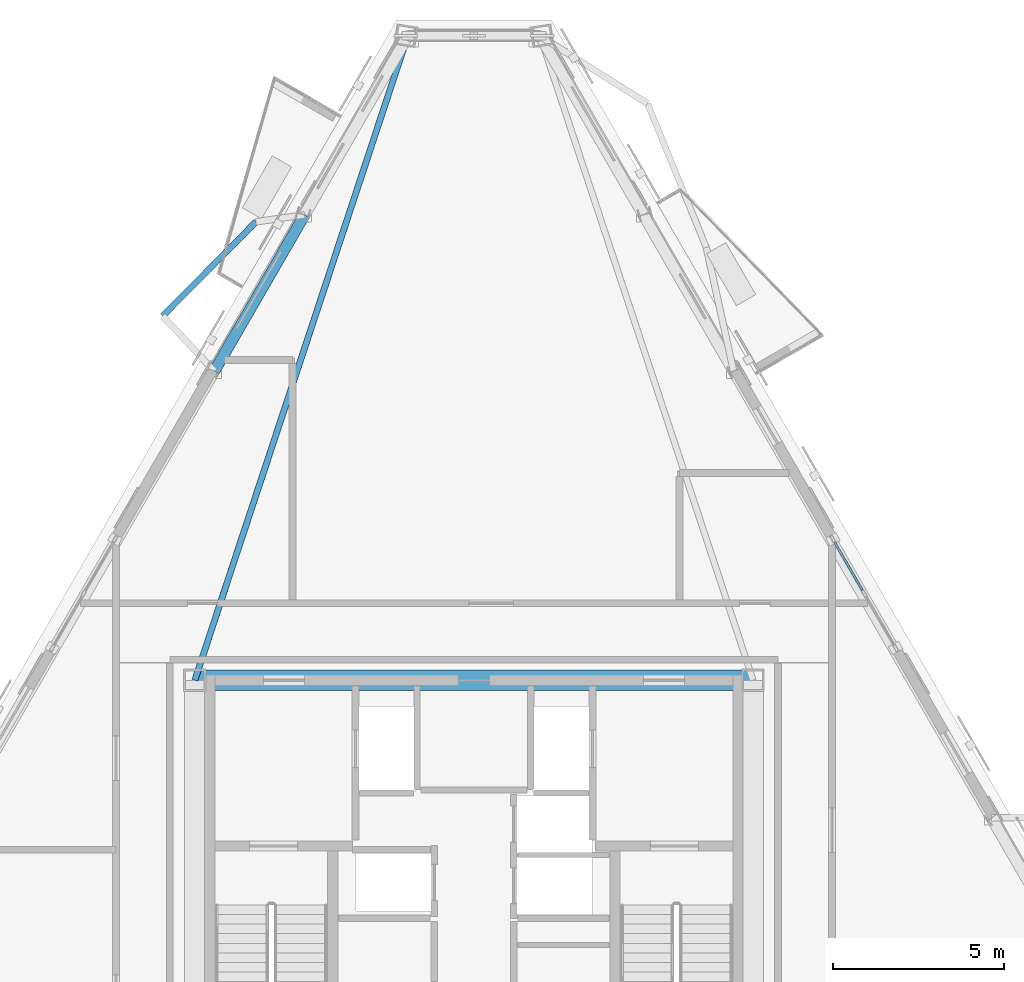
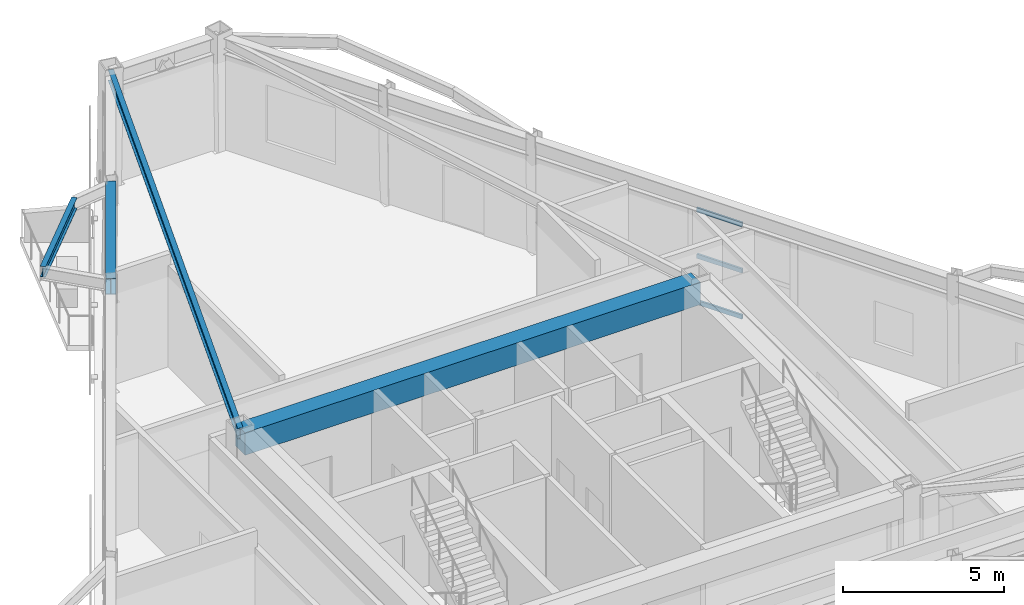
# One storey, part 5 of 16: 4 beams, 3 members, 1 element without a shape of its own.
"""IFC4 building model written with IfcOpenShell, lengths in metres."""

from ifc_helpers import new_model, si_unit, direction, frame, origin, origin_2d, place, context, subcontext, project, spatial, rectangle, hollow_rectangle, i_section, extrude, material, layer, layer_set, material_profile, profile_set, type_object, element, aggregate, save


model = new_model("IFC4")

# Units and contexts
model_context = context("Model", 3, precision=1e-05, world=origin(), true_north=direction((0.0, 1.0)))
body_context = subcontext(model_context, "Body", "Model", "MODEL_VIEW")
ifc_project = project(units=[si_unit("LENGTHUNIT", "METRE"), si_unit("AREAUNIT", "SQUARE_METRE"), si_unit("VOLUMEUNIT", "CUBIC_METRE"), si_unit("PLANEANGLEUNIT", "RADIAN"), si_unit("MASSUNIT", "GRAM", prefix="KILO")], contexts=[model_context])

# Site, building, storey
site_placement = place(None, origin())
site = spatial("IfcSite", under=ifc_project, at=site_placement, CompositionType="ELEMENT")
building_placement = place(site_placement, origin())
building = spatial("IfcBuilding", under=site, at=building_placement, Name="Oramaril Tower", CompositionType="ELEMENT")
storey_placement = place(building_placement, frame((0.0, 0.0, 296.699951171875)))
storey = spatial("IfcBuildingStorey", under=building, at=storey_placement, Name="L78", CompositionType="ELEMENT", Elevation=296.699951171875)

# Beams
ifc_material_1 = material(Name="Concrete C50/60", Category="concrete")
ifc_material_profile_1 = material_profile(ifc_material_1, rectangle(XDim=0.60009765625, YDim=0.85009765625, at=origin_2d()), Name="CB600X850")
ifc_profile_set_1 = profile_set([ifc_material_profile_1], Name="Concrete C50/60")
beam_type_1 = type_object("IfcBeamType", Name="BT-CB2", PredefinedType="BEAM", material=ifc_profile_set_1)
beam_1_placement = place(storey_placement, frame((45.64990234375, 24.14990234375, 3.85498046875), z_axis=(-1.0, 0.0, 0.0), x_axis=(0.0, -1.0, 0.0)))
element("IfcBeam", 1, at=beam_1_placement, inside=storey, type_object=beam_type_1, Name="L78 Core Header Beam CB-3", PredefinedType="BEAM", context=body_context, shape_type="SweptSolid", body=[
    extrude(rectangle(XDim=0.60009765625, YDim=0.85009765625, at=origin_2d()), origin(), (0.0, 0.0, 1.0), 16.2998046875),
])
ifc_material_2 = material(Name="Steel ASTM A572 Gr 50", Category="steel")
ifc_material_profile_2 = material_profile(ifc_material_2, i_section(OverallWidth=0.177978515625, OverallDepth=0.404052734375, WebThickness=0.007568359375, FlangeThickness=0.010986328125, at=origin_2d()), Name="W16X36")
ifc_profile_set_2 = profile_set([ifc_material_profile_2], Name="Steel ASTM A572 Gr 50")
beam_type_2 = type_object("IfcBeamType", Name="BT-SB1", PredefinedType="BEAM", material=ifc_profile_set_2)
beam_2_placement = place(storey_placement, frame((29.35009765625, 24.14990234375, 4.078125), z_axis=(0.313878899078, 0.949463025459, 0.0), x_axis=(-0.949463025459, 0.313878899078, 0.0)))
element("IfcBeam", 2, at=beam_2_placement, inside=storey, type_object=beam_type_2, Name="L78 Radial Primary Beam RB-06", PredefinedType="BEAM", context=body_context, shape_type="SweptSolid", body=[
    extrude(i_section(OverallWidth=0.177978515625, OverallDepth=0.404052734375, WebThickness=0.007568359375, FlangeThickness=0.010986328125, at=origin_2d()), origin(), (0.0, 0.0, 1.0), 19.80859375),
])
beam_3_placement = place(storey_placement, frame((31.134521484375, 37.53515625, 4.078125), z_axis=(-0.702994511648, -0.71119527318, 0.0), x_axis=(0.71119527318, -0.702994511648, 0.0)))
element("IfcBeam", 3, at=beam_3_placement, inside=storey, type_object=beam_type_2, Name="L78 Balcony Edge Tie Beam 05", PredefinedType="BEAM", context=body_context, shape_type="SweptSolid", body=[
    extrude(i_section(OverallWidth=0.177978515625, OverallDepth=0.404052734375, WebThickness=0.007568359375, FlangeThickness=0.010986328125, at=origin_2d()), origin(), (0.0, 0.0, 1.0), 3.8701171875),
])
ifc_material_3 = material(Name="Steel ASTM A572 Gr 50", Category="steel")
ifc_material_profile_3 = material_profile(ifc_material_3, i_section(OverallWidth=0.324951171875, OverallDepth=0.612060546875, WebThickness=0.0126953125, FlangeThickness=0.01904296875, at=origin_2d()), Name="W24X104")
ifc_profile_set_3 = profile_set([ifc_material_profile_3], Name="Steel ASTM A572 Gr 50")
beam_type_3 = type_object("IfcBeamType", Name="BT-SP5", PredefinedType="SPANDREL", material=ifc_profile_set_3)
beam_4_placement = place(storey_placement, frame((32.554931640625, 37.739501953125, 3.97412109375), z_axis=(-0.499978997179, -0.866037529429, 0.0), x_axis=(0.866037529429, -0.499978997179, 0.0)))
element("IfcBeam", 4, at=beam_4_placement, inside=storey, type_object=beam_type_3, Name="L78 Perimeter Spandrel 15", PredefinedType="SPANDREL", context=body_context, shape_type="SweptSolid", body=[
    extrude(i_section(OverallWidth=0.324951171875, OverallDepth=0.612060546875, WebThickness=0.0126953125, FlangeThickness=0.01904296875, at=origin_2d()), origin(), (0.0, 0.0, 1.0), 5.272216796875),
])

# Curtain wall, members
ifc_material_4 = material(Name="Anodised Aluminium 6063-T6", Category="aluminium")
ifc_layer = layer(ifc_material_4, 0.219970703125)
ifc_layer_set = layer_set([ifc_layer], Name="CWT-SYS5")
curtain_wall_type = type_object("IfcCurtainWallType", Name="CWT-SYS5", PredefinedType="NOTDEFINED", material=ifc_layer_set)
curtain_wall_placement = place(storey_placement, origin())
curtain_wall = element("IfcCurtainWall", 5, at=curtain_wall_placement, inside=storey, type_object=curtain_wall_type, Name="L78 Unitised Curtain Wall CW-5", PredefinedType="NOTDEFINED")
ifc_material_5 = material(Name="Anodised Aluminium 6063-T6", Category="aluminium")
ifc_material_profile_4 = material_profile(ifc_material_5, hollow_rectangle(XDim=0.070068359375, YDim=0.159912109375, WallThickness=0.00390625, at=origin_2d()), Name="CWT160X70")
ifc_profile_set_4 = profile_set([ifc_material_profile_4], Name="Anodised Aluminium 6063-T6")
member_type = type_object("IfcMemberType", Name="MT-CWT1", PredefinedType="USERDEFINED", material=ifc_profile_set_4)
member_1_placement = place(storey_placement, frame((48.8408203125, 26.774658203125, 0.080078125), z_axis=(-0.500061642096, 0.865989811779, 0.0), x_axis=(-0.865989811779, -0.500061642096, 0.0)))
member_1 = element("IfcMember", 6, at=member_1_placement, type_object=member_type, Name="CW-5 transom 2.1", ObjectType="TRANSOM", PredefinedType="USERDEFINED", context=body_context, shape_type="SweptSolid", body=[
    extrude(hollow_rectangle(XDim=0.070068359375, YDim=0.159912109375, WallThickness=0.00390625, at=origin_2d()), origin(), (0.0, 0.0, 1.0), 1.619873046875),
])
member_2_placement = place(storey_placement, frame((48.8408203125, 26.774658203125, 1.8291015625), z_axis=(-0.500061642096, 0.865989811779, 0.0), x_axis=(-0.865989811779, -0.500061642096, 0.0)))
member_2 = element("IfcMember", 7, at=member_2_placement, type_object=member_type, Name="CW-5 transom 2.2", ObjectType="TRANSOM", PredefinedType="USERDEFINED", context=body_context, shape_type="SweptSolid", body=[
    extrude(hollow_rectangle(XDim=0.070068359375, YDim=0.159912109375, WallThickness=0.00390625, at=origin_2d()), origin(), (0.0, 0.0, 1.0), 1.619873046875),
])
member_3_placement = place(storey_placement, frame((48.8408203125, 26.774658203125, 3.578125), z_axis=(-0.500061642096, 0.865989811779, 0.0), x_axis=(-0.865989811779, -0.500061642096, 0.0)))
member_3 = element("IfcMember", 8, at=member_3_placement, type_object=member_type, Name="CW-5 transom 2.3", ObjectType="TRANSOM", PredefinedType="USERDEFINED", context=body_context, shape_type="SweptSolid", body=[
    extrude(hollow_rectangle(XDim=0.070068359375, YDim=0.159912109375, WallThickness=0.00390625, at=origin_2d()), origin(), (0.0, 0.0, 1.0), 1.619873046875),
])
aggregate(curtain_wall, [member_1, member_2, member_3])

save(model, "model.ifc")
